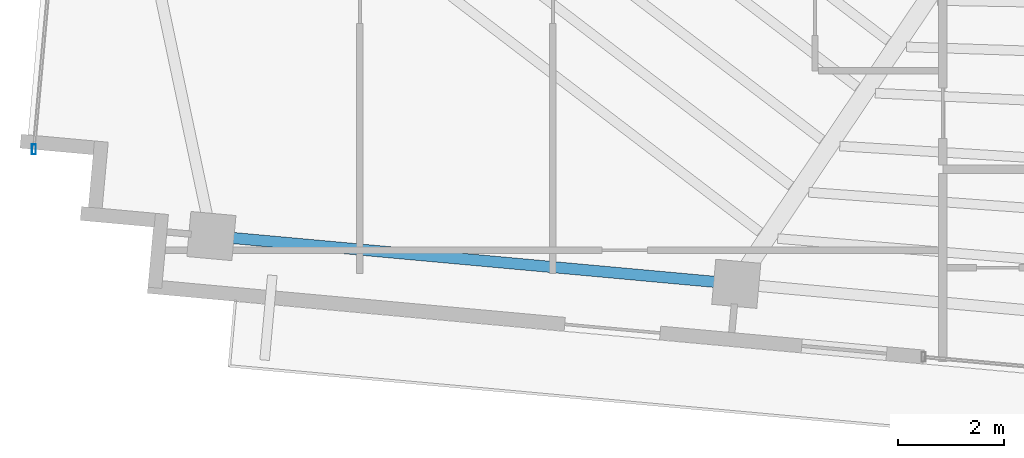
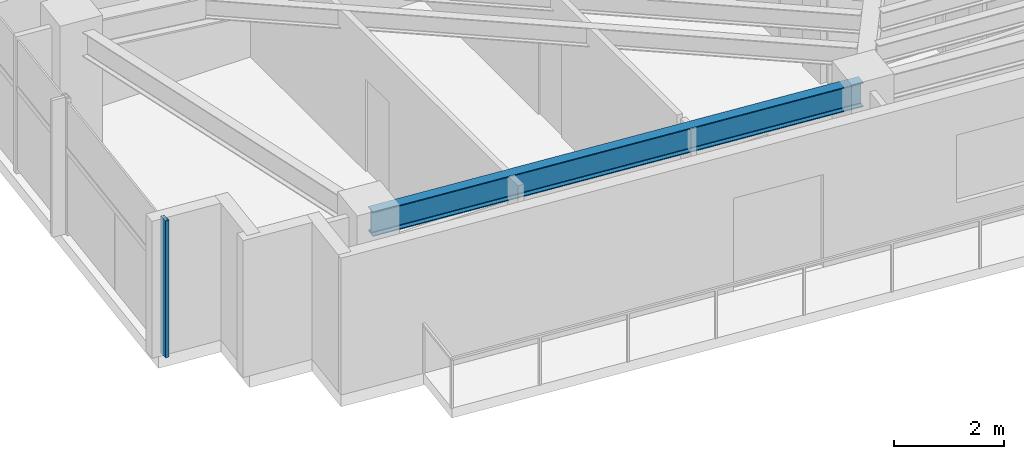
# One storey, part 2 of 22: 1 beam, 1 member, 1 element without a shape of its own.
"""IFC4 building model written with IfcOpenShell, lengths in metres."""

from ifc_helpers import new_model, si_unit, direction, frame, origin, origin_2d, place, context, subcontext, project, spatial, hollow_rectangle, i_section, extrude, source, transform, mapped, material, material_profile, profile_set, type_object, type_shapes, element, aggregate, save


model = new_model("IFC4")

# Units and contexts
model_context = context("Model", 3, precision=1e-05, world=origin(), true_north=direction((0.0, 1.0)))
body_context = subcontext(model_context, "Body", "Model", "MODEL_VIEW")
ifc_project = project(units=[si_unit("LENGTHUNIT", "METRE"), si_unit("AREAUNIT", "SQUARE_METRE"), si_unit("VOLUMEUNIT", "CUBIC_METRE"), si_unit("PLANEANGLEUNIT", "RADIAN"), si_unit("MASSUNIT", "GRAM", prefix="KILO")], contexts=[model_context])

# Site, building, storey
site_placement = place(None, origin())
site = spatial("IfcSite", under=ifc_project, at=site_placement, CompositionType="ELEMENT")
building_placement = place(site_placement, origin())
building = spatial("IfcBuilding", under=site, at=building_placement, Name="Astriad Promenade Condominiums", CompositionType="ELEMENT")
storey_placement = place(building_placement, frame((0.0, 0.0, 239.699951171875)))
storey = spatial("IfcBuildingStorey", under=building, at=storey_placement, Name="L69", CompositionType="ELEMENT", Elevation=239.699951171875)

# Beam
ifc_material_1 = material(Name="Steel ASTM A992 Grade 50", Category="steel")
ifc_material_profile_1 = material_profile(ifc_material_1, i_section(OverallWidth=0.210693359375, OverallDepth=0.53955078125, WebThickness=0.01171875, FlangeThickness=0.018798828125, FilletRadius=0.0166015625, at=origin_2d()), Name="W21X73")
ifc_profile_set_1 = profile_set([ifc_material_profile_1], Name="Steel ASTM A992 Grade 50")
beam_type = type_object("IfcBeamType", Name="STEEL SPANDREL BEAM W21X73", PredefinedType="SPANDREL", material=ifc_profile_set_1)
shared_shape_1 = source(origin(), body_context, "Body", "SweptSolid", [
    extrude(i_section(OverallWidth=0.210693359375, OverallDepth=0.53955078125, WebThickness=0.01171875, FlangeThickness=0.018798828125, FilletRadius=0.0166015625, at=origin_2d()), origin(), (0.0, 0.0, 1.0), 9.8203125),
])
type_shapes(beam_type, [shared_shape_1])
beam_placement = place(storey_placement, frame((12.421630859375, 12.102783203125, 2.770263671875), z_axis=(0.995883419264, -0.090643340822, 0.0), x_axis=(0.090643340822, 0.995883419264, 0.0)))
element("IfcBeam", 1, at=beam_placement, inside=storey, type_object=beam_type, Name="Perimeter Spandrel Beam SP-S1-L69", PredefinedType="SPANDREL", context=body_context, shape_type="MappedRepresentation", body=[
    mapped(shared_shape_1, transform((0.0, 0.0, 0.0), scale=1.0)),
])

# Curtain wall, member
ifc_material_2 = material(Name="Anodised aluminium Black Dark Glass Unitised", Category="aluminium")
curtain_wall_type = type_object("IfcCurtainWallType", Name="CW-B5-DARK", PredefinedType="USERDEFINED", material=ifc_material_2)
curtain_wall_placement = place(storey_placement, origin())
curtain_wall = element("IfcCurtainWall", 2, at=curtain_wall_placement, inside=storey, type_object=curtain_wall_type, Name="CW-L69-W", ObjectType="UNITISED_CURTAIN_WALL", PredefinedType="USERDEFINED")
ifc_material_3 = material(Name="Anodised aluminium 6063-T6 Black", Category="aluminium")
ifc_material_profile_2 = material_profile(ifc_material_3, hollow_rectangle(XDim=0.074951171875, YDim=0.18505859375, WallThickness=0.00439453125, at=origin_2d()), Name="ALU-MUL-75X185")
ifc_profile_set_2 = profile_set([ifc_material_profile_2], Name="Anodised aluminium 6063-T6 Black")
member_type = type_object("IfcMemberType", Name="MUL-ALU-MUL-75X185", PredefinedType="MULLION", material=ifc_profile_set_2)
shared_shape_2 = source(origin(), body_context, "Body", "SweptSolid", [
    extrude(hollow_rectangle(XDim=0.074951171875, YDim=0.18505859375, WallThickness=0.00439453125, at=origin_2d()), origin(), (0.0, 0.0, 1.0), 3.0400390625),
])
type_shapes(member_type, [shared_shape_2])
member_placement = place(storey_placement, frame((9.0458984375, 13.7353515625, 0.0), z_axis=(0.0, 0.0, 1.0), x_axis=(1.0, 0.0, 0.0)))
member = element("IfcMember", 3, at=member_placement, type_object=member_type, Name="CW-L69-W-MUL-00", PredefinedType="MULLION", context=body_context, shape_type="MappedRepresentation", body=[
    mapped(shared_shape_2, transform((0.0, 0.0, 0.0), scale=1.0)),
])
aggregate(curtain_wall, [member])

save(model, "model.ifc")
